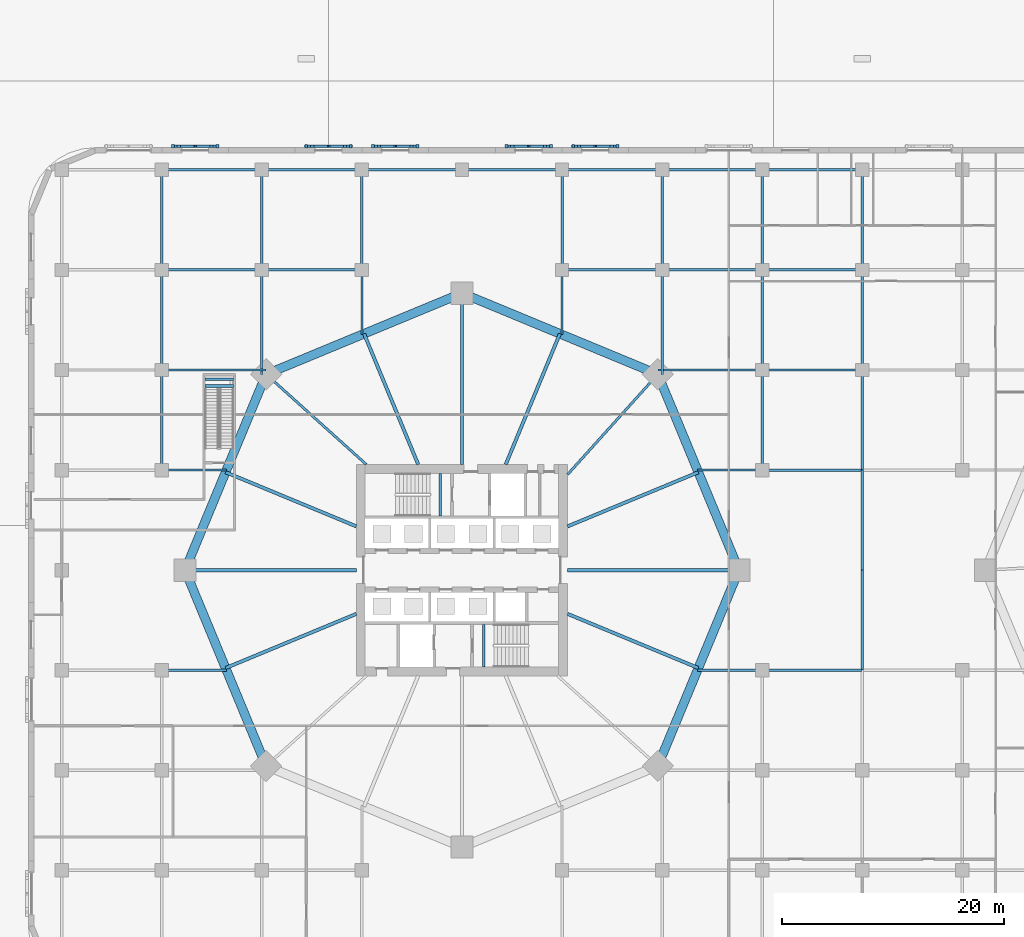
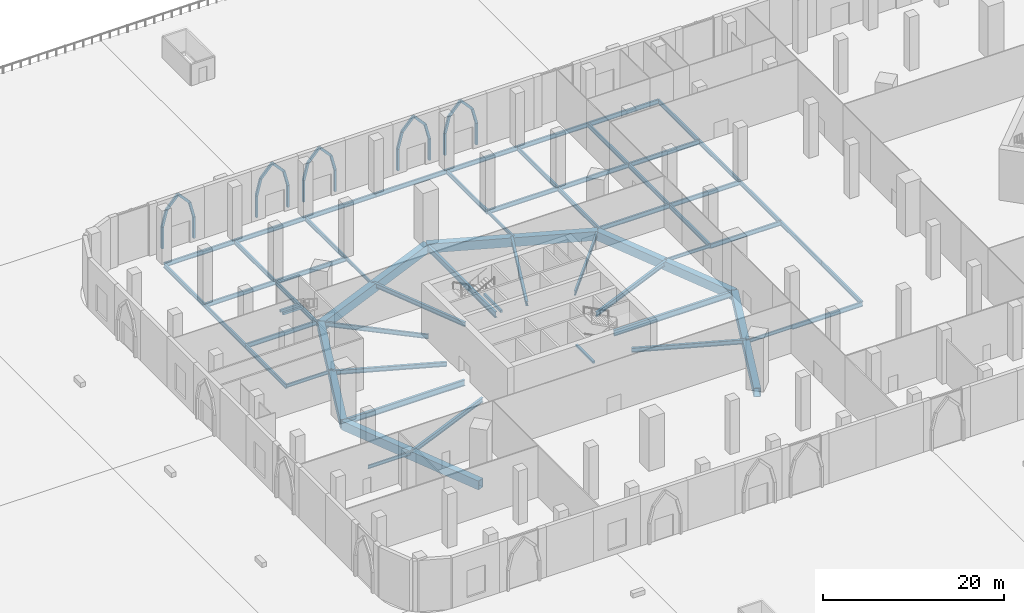
# One storey, part 8 of 48: 61 beams, 30 members.
"""IFC4 building model written with IfcOpenShell, lengths in metres."""

from ifc_helpers import new_model, si_unit, direction, frame, origin, origin_2d, place, context, subcontext, project, spatial, rectangle, hollow_rectangle, i_section, extrude, material, material_profile, profile_set, type_object, element, save


model = new_model("IFC4")

# Units and contexts
model_context = context("Model", 3, precision=1e-05, world=origin(), true_north=direction((0.0, 1.0)))
body_context = subcontext(model_context, "Body", "Model", "MODEL_VIEW")
ifc_project = project(units=[si_unit("LENGTHUNIT", "METRE"), si_unit("AREAUNIT", "SQUARE_METRE"), si_unit("VOLUMEUNIT", "CUBIC_METRE"), si_unit("PLANEANGLEUNIT", "RADIAN"), si_unit("MASSUNIT", "GRAM", prefix="KILO")], contexts=[model_context])

# Site, building, storey
site_placement = place(None, origin())
site = spatial("IfcSite", under=ifc_project, at=site_placement, CompositionType="ELEMENT")
building_placement = place(site_placement, origin())
building = spatial("IfcBuilding", under=site, at=building_placement, Name="Ogive Gate Towers", CompositionType="ELEMENT")
storey_placement = place(building_placement, origin())
storey = spatial("IfcBuildingStorey", under=building, at=storey_placement, Name="L00", CompositionType="ELEMENT", Elevation=0.0)

# Members
ifc_material_1 = material(Name="Precast concrete C40/50", Category="concrete")
ifc_material_profile_1 = material_profile(ifc_material_1, rectangle(XDim=0.25, YDim=0.300048828125, at=origin_2d()), Name="250 x 300 cast stone")
ifc_profile_set_1 = profile_set([ifc_material_profile_1], Name="Precast concrete C40/50")
member_type = type_object("IfcMemberType", Name="Arch rib 250 x 300", PredefinedType="USERDEFINED", material=ifc_profile_set_1)
member_1_placement = place(storey_placement, frame((-22.0, 38.125, 0.0), z_axis=(0.0, 0.0, 1.0), x_axis=(1.0, 0.0, 0.0)))
element("IfcMember", 1, at=member_1_placement, inside=storey, type_object=member_type, Name="Arcade arch rib", ObjectType="ARCH RIB", PredefinedType="USERDEFINED", context=body_context, shape_type="SweptSolid", body=[
    extrude(rectangle(XDim=0.25, YDim=0.300048828125, at=origin_2d()), origin(), (0.0, 0.0, 1.0), 2.89990234375),
])
for number, where, z_axis, x_axis, name in (
    (2, (-22.0, 38.125, 2.89990234375), (-0.245931792163, 0.0, 0.969287136819), (0.0, -1.0, 0.0), "Arcade arch rib"),
    (3, (-22.5322265625, 38.125, 4.99755859375), (-0.678223875113, 0.0, 0.734855343062), (0.0, -1.0, 0.0), "Arcade arch rib"),
):
    element("IfcMember", number, at=place(storey_placement, frame(where, z_axis=z_axis, x_axis=x_axis)), inside=storey, type_object=member_type, Name=name, ObjectType="ARCH RIB", PredefinedType="USERDEFINED", context=body_context, shape_type="SweptSolid", body=[
        extrude(rectangle(XDim=0.25, YDim=0.300048828125, at=origin_2d()), origin(), (0.0, 0.0, 1.0), 2.1640625),
    ])
member_2_placement = place(storey_placement, frame((-26.0, 38.125, 0.0), z_axis=(0.0, 0.0, 1.0), x_axis=(1.0, 0.0, 0.0)))
element("IfcMember", 4, at=member_2_placement, inside=storey, type_object=member_type, Name="Arcade arch rib", ObjectType="ARCH RIB", PredefinedType="USERDEFINED", context=body_context, shape_type="SweptSolid", body=[
    extrude(rectangle(XDim=0.25, YDim=0.300048828125, at=origin_2d()), origin(), (0.0, 0.0, 1.0), 2.89990234375),
])
for number, where, z_axis, x_axis, name in (
    (5, (-26.0, 38.125, 2.89990234375), (0.245931792163, 0.0, 0.969287136819), (0.0, 1.0, 0.0), "Arcade arch rib"),
    (6, (-25.4677734375, 38.125, 4.99755859375), (0.678223875113, 0.0, 0.734855343062), (0.0, 1.0, 0.0), "Arcade arch rib"),
):
    element("IfcMember", number, at=place(storey_placement, frame(where, z_axis=z_axis, x_axis=x_axis)), inside=storey, type_object=member_type, Name=name, ObjectType="ARCH RIB", PredefinedType="USERDEFINED", context=body_context, shape_type="SweptSolid", body=[
        extrude(rectangle(XDim=0.25, YDim=0.300048828125, at=origin_2d()), origin(), (0.0, 0.0, 1.0), 2.1640625),
    ])
member_3_placement = place(storey_placement, frame((-28.0, 38.125, 0.0), z_axis=(0.0, 0.0, 1.0), x_axis=(1.0, 0.0, 0.0)))
element("IfcMember", 7, at=member_3_placement, inside=storey, type_object=member_type, Name="Arcade arch rib", ObjectType="ARCH RIB", PredefinedType="USERDEFINED", context=body_context, shape_type="SweptSolid", body=[
    extrude(rectangle(XDim=0.25, YDim=0.300048828125, at=origin_2d()), origin(), (0.0, 0.0, 1.0), 2.89990234375),
])
for number, where, z_axis, x_axis, name in (
    (8, (-28.0, 38.125, 2.89990234375), (-0.245931792163, 0.0, 0.969287136819), (0.0, -1.0, 0.0), "Arcade arch rib"),
    (9, (-28.5322265625, 38.125, 4.99755859375), (-0.678223875113, 0.0, 0.734855343062), (0.0, -1.0, 0.0), "Arcade arch rib"),
):
    element("IfcMember", number, at=place(storey_placement, frame(where, z_axis=z_axis, x_axis=x_axis)), inside=storey, type_object=member_type, Name=name, ObjectType="ARCH RIB", PredefinedType="USERDEFINED", context=body_context, shape_type="SweptSolid", body=[
        extrude(rectangle(XDim=0.25, YDim=0.300048828125, at=origin_2d()), origin(), (0.0, 0.0, 1.0), 2.1640625),
    ])
member_4_placement = place(storey_placement, frame((-32.0, 38.125, 0.0), z_axis=(0.0, 0.0, 1.0), x_axis=(1.0, 0.0, 0.0)))
element("IfcMember", 10, at=member_4_placement, inside=storey, type_object=member_type, Name="Arcade arch rib", ObjectType="ARCH RIB", PredefinedType="USERDEFINED", context=body_context, shape_type="SweptSolid", body=[
    extrude(rectangle(XDim=0.25, YDim=0.300048828125, at=origin_2d()), origin(), (0.0, 0.0, 1.0), 2.89990234375),
])
for number, where, z_axis, x_axis, name in (
    (11, (-32.0, 38.125, 2.89990234375), (0.245931792163, 0.0, 0.969287136819), (0.0, 1.0, 0.0), "Arcade arch rib"),
    (12, (-31.4677734375, 38.125, 4.99755859375), (0.678223875113, 0.0, 0.734855343062), (0.0, 1.0, 0.0), "Arcade arch rib"),
):
    element("IfcMember", number, at=place(storey_placement, frame(where, z_axis=z_axis, x_axis=x_axis)), inside=storey, type_object=member_type, Name=name, ObjectType="ARCH RIB", PredefinedType="USERDEFINED", context=body_context, shape_type="SweptSolid", body=[
        extrude(rectangle(XDim=0.25, YDim=0.300048828125, at=origin_2d()), origin(), (0.0, 0.0, 1.0), 2.1640625),
    ])
member_5_placement = place(storey_placement, frame((-40.0, 38.125, 0.0), z_axis=(0.0, 0.0, 1.0), x_axis=(1.0, 0.0, 0.0)))
element("IfcMember", 13, at=member_5_placement, inside=storey, type_object=member_type, Name="Arcade arch rib", ObjectType="ARCH RIB", PredefinedType="USERDEFINED", context=body_context, shape_type="SweptSolid", body=[
    extrude(rectangle(XDim=0.25, YDim=0.300048828125, at=origin_2d()), origin(), (0.0, 0.0, 1.0), 2.89990234375),
])
for number, where, z_axis, x_axis, name in (
    (14, (-40.0, 38.125, 2.89990234375), (-0.245931792163, 0.0, 0.969287136819), (0.0, -1.0, 0.0), "Arcade arch rib"),
    (15, (-40.5322265625, 38.125, 4.99755859375), (-0.678223875113, 0.0, 0.734855343062), (0.0, -1.0, 0.0), "Arcade arch rib"),
):
    element("IfcMember", number, at=place(storey_placement, frame(where, z_axis=z_axis, x_axis=x_axis)), inside=storey, type_object=member_type, Name=name, ObjectType="ARCH RIB", PredefinedType="USERDEFINED", context=body_context, shape_type="SweptSolid", body=[
        extrude(rectangle(XDim=0.25, YDim=0.300048828125, at=origin_2d()), origin(), (0.0, 0.0, 1.0), 2.1640625),
    ])
member_6_placement = place(storey_placement, frame((-44.0, 38.125, 0.0), z_axis=(0.0, 0.0, 1.0), x_axis=(1.0, 0.0, 0.0)))
element("IfcMember", 16, at=member_6_placement, inside=storey, type_object=member_type, Name="Arcade arch rib", ObjectType="ARCH RIB", PredefinedType="USERDEFINED", context=body_context, shape_type="SweptSolid", body=[
    extrude(rectangle(XDim=0.25, YDim=0.300048828125, at=origin_2d()), origin(), (0.0, 0.0, 1.0), 2.89990234375),
])
for number, where, z_axis, x_axis, name in (
    (17, (-44.0, 38.125, 2.89990234375), (0.245931792163, 0.0, 0.969287136819), (0.0, 1.0, 0.0), "Arcade arch rib"),
    (18, (-43.4677734375, 38.125, 4.99755859375), (0.678223875113, 0.0, 0.734855343062), (0.0, 1.0, 0.0), "Arcade arch rib"),
):
    element("IfcMember", number, at=place(storey_placement, frame(where, z_axis=z_axis, x_axis=x_axis)), inside=storey, type_object=member_type, Name=name, ObjectType="ARCH RIB", PredefinedType="USERDEFINED", context=body_context, shape_type="SweptSolid", body=[
        extrude(rectangle(XDim=0.25, YDim=0.300048828125, at=origin_2d()), origin(), (0.0, 0.0, 1.0), 2.1640625),
    ])
member_7_placement = place(storey_placement, frame((-46.0, 38.125, 0.0), z_axis=(0.0, 0.0, 1.0), x_axis=(1.0, 0.0, 0.0)))
element("IfcMember", 19, at=member_7_placement, inside=storey, type_object=member_type, Name="Arcade arch rib", ObjectType="ARCH RIB", PredefinedType="USERDEFINED", context=body_context, shape_type="SweptSolid", body=[
    extrude(rectangle(XDim=0.25, YDim=0.300048828125, at=origin_2d()), origin(), (0.0, 0.0, 1.0), 2.89990234375),
])
for number, where, z_axis, x_axis, name in (
    (20, (-46.0, 38.125, 2.89990234375), (-0.245931792163, 0.0, 0.969287136819), (0.0, -1.0, 0.0), "Arcade arch rib"),
    (21, (-46.5322265625, 38.125, 4.99755859375), (-0.678223875113, 0.0, 0.734855343062), (0.0, -1.0, 0.0), "Arcade arch rib"),
):
    element("IfcMember", number, at=place(storey_placement, frame(where, z_axis=z_axis, x_axis=x_axis)), inside=storey, type_object=member_type, Name=name, ObjectType="ARCH RIB", PredefinedType="USERDEFINED", context=body_context, shape_type="SweptSolid", body=[
        extrude(rectangle(XDim=0.25, YDim=0.300048828125, at=origin_2d()), origin(), (0.0, 0.0, 1.0), 2.1640625),
    ])
member_8_placement = place(storey_placement, frame((-50.0, 38.125, 0.0), z_axis=(0.0, 0.0, 1.0), x_axis=(1.0, 0.0, 0.0)))
element("IfcMember", 22, at=member_8_placement, inside=storey, type_object=member_type, Name="Arcade arch rib", ObjectType="ARCH RIB", PredefinedType="USERDEFINED", context=body_context, shape_type="SweptSolid", body=[
    extrude(rectangle(XDim=0.25, YDim=0.300048828125, at=origin_2d()), origin(), (0.0, 0.0, 1.0), 2.89990234375),
])
for number, where, z_axis, x_axis, name in (
    (23, (-50.0, 38.125, 2.89990234375), (0.245931792163, 0.0, 0.969287136819), (0.0, 1.0, 0.0), "Arcade arch rib"),
    (24, (-49.4677734375, 38.125, 4.99755859375), (0.678223875113, 0.0, 0.734855343062), (0.0, 1.0, 0.0), "Arcade arch rib"),
):
    element("IfcMember", number, at=place(storey_placement, frame(where, z_axis=z_axis, x_axis=x_axis)), inside=storey, type_object=member_type, Name=name, ObjectType="ARCH RIB", PredefinedType="USERDEFINED", context=body_context, shape_type="SweptSolid", body=[
        extrude(rectangle(XDim=0.25, YDim=0.300048828125, at=origin_2d()), origin(), (0.0, 0.0, 1.0), 2.1640625),
    ])
member_9_placement = place(storey_placement, frame((-58.0, 38.125, 0.0), z_axis=(0.0, 0.0, 1.0), x_axis=(1.0, 0.0, 0.0)))
element("IfcMember", 25, at=member_9_placement, inside=storey, type_object=member_type, Name="Arcade arch rib", ObjectType="ARCH RIB", PredefinedType="USERDEFINED", context=body_context, shape_type="SweptSolid", body=[
    extrude(rectangle(XDim=0.25, YDim=0.300048828125, at=origin_2d()), origin(), (0.0, 0.0, 1.0), 2.89990234375),
])
for number, where, z_axis, x_axis, name in (
    (26, (-58.0, 38.125, 2.89990234375), (-0.245931792163, 0.0, 0.969287136819), (0.0, -1.0, 0.0), "Arcade arch rib"),
    (27, (-58.5322265625, 38.125, 4.99755859375), (-0.678223875113, 0.0, 0.734855343062), (0.0, -1.0, 0.0), "Arcade arch rib"),
):
    element("IfcMember", number, at=place(storey_placement, frame(where, z_axis=z_axis, x_axis=x_axis)), inside=storey, type_object=member_type, Name=name, ObjectType="ARCH RIB", PredefinedType="USERDEFINED", context=body_context, shape_type="SweptSolid", body=[
        extrude(rectangle(XDim=0.25, YDim=0.300048828125, at=origin_2d()), origin(), (0.0, 0.0, 1.0), 2.1640625),
    ])
member_10_placement = place(storey_placement, frame((-62.0, 38.125, 0.0), z_axis=(0.0, 0.0, 1.0), x_axis=(1.0, 0.0, 0.0)))
element("IfcMember", 28, at=member_10_placement, inside=storey, type_object=member_type, Name="Arcade arch rib", ObjectType="ARCH RIB", PredefinedType="USERDEFINED", context=body_context, shape_type="SweptSolid", body=[
    extrude(rectangle(XDim=0.25, YDim=0.300048828125, at=origin_2d()), origin(), (0.0, 0.0, 1.0), 2.89990234375),
])
for number, where, z_axis, x_axis, name in (
    (29, (-62.0, 38.125, 2.89990234375), (0.245931792163, 0.0, 0.969287136819), (0.0, 1.0, 0.0), "Arcade arch rib"),
    (30, (-61.4677734375, 38.125, 4.99755859375), (0.678223875113, 0.0, 0.734855343062), (0.0, 1.0, 0.0), "Arcade arch rib"),
):
    element("IfcMember", number, at=place(storey_placement, frame(where, z_axis=z_axis, x_axis=x_axis)), inside=storey, type_object=member_type, Name=name, ObjectType="ARCH RIB", PredefinedType="USERDEFINED", context=body_context, shape_type="SweptSolid", body=[
        extrude(rectangle(XDim=0.25, YDim=0.300048828125, at=origin_2d()), origin(), (0.0, 0.0, 1.0), 2.1640625),
    ])

# Beams
ifc_material_2 = material(Name="Steel SM460", Category="steel")
ifc_material_profile_2 = material_profile(ifc_material_2, hollow_rectangle(XDim=0.800048828125, YDim=1.199951171875, WallThickness=0.050048828125, at=origin_2d()), Name="BX 1200x800x50")
ifc_profile_set_2 = profile_set([ifc_material_profile_2], Name="Steel SM460")
beam_type_1 = type_object("IfcBeamType", Name="Edge girder BX 1200x800x50", PredefinedType="BEAM", material=ifc_profile_set_2)
for number, where, z_axis, x_axis, name in (
    (31, (-18.385986328125, -17.614013671875, -0.89990234375), (0.382680526191, 0.923880736283, 0.0), (-0.923880736283, 0.382680526191, 0.0), "T1/L00/SBM019"),
    (32, (-11.090087890625, 0.0, -0.89990234375), (-0.382680526191, 0.923880736283, 0.0), (-0.923880736283, -0.382680526191, 0.0), "T1/L00/SBM020"),
    (33, (-18.385986328125, 17.614013671875, -0.89990234375), (-0.923880736283, 0.382680526191, 0.0), (-0.382680526191, -0.923880736283, 0.0), "T1/L00/SBM021"),
    (34, (-36.0, 24.909912109375, -0.89990234375), (-0.923880736283, -0.382680526191, 0.0), (0.382680526191, -0.923880736283, 0.0), "T1/L00/SBM022"),
    (35, (-53.614013671875, 17.614013671875, -0.89990234375), (-0.382680526191, -0.923880736283, 0.0), (0.923880736283, -0.382680526191, 0.0), "T1/L00/SBM023"),
    (36, (-60.909912109375, 0.0, -0.89990234375), (0.382680526191, -0.923880736283, 0.0), (0.923880736283, 0.382680526191, 0.0), "T1/L00/SBM024"),
):
    element("IfcBeam", number, at=place(storey_placement, frame(where, z_axis=z_axis, x_axis=x_axis)), inside=storey, type_object=beam_type_1, Name=name, PredefinedType="BEAM", context=body_context, shape_type="SweptSolid", body=[
        extrude(hollow_rectangle(XDim=0.800048828125, YDim=1.199951171875, WallThickness=0.050048828125, at=origin_2d()), origin(), (0.0, 0.0, 1.0), 19.065185546875),
    ])
ifc_material_3 = material(Name="Steel SM355", Category="steel")
ifc_material_profile_3 = material_profile(ifc_material_3, i_section(OverallWidth=0.18994140625, OverallDepth=0.449951171875, WebThickness=0.009521484375, FlangeThickness=0.0146484375, FilletRadius=0.02099609375, at=origin_2d()), Name="IPE 450")
ifc_profile_set_3 = profile_set([ifc_material_profile_3], Name="Steel SM355")
beam_type_2 = type_object("IfcBeamType", Name="Floor beam IPE 450", PredefinedType="BEAM", material=ifc_profile_set_3)
for number, where, z_axis, x_axis, name in (
    (37, (-63.0, -9.0, -0.52490234375), (1.0, 0.0, 0.0), (0.0, 1.0, 0.0), "PD/L00/SBM153"),
    (38, (-63.0, 9.0, -0.52490234375), (1.0, 0.0, 0.0), (0.0, 1.0, 0.0), "PD/L00/SBM154"),
    (39, (-45.0, 27.0, -0.52490234375), (0.0, -1.0, 0.0), (1.0, 0.0, 0.0), "PD/L00/SBM156"),
    (40, (-27.0, 27.0, -0.52490234375), (0.0, -1.0, 0.0), (1.0, 0.0, 0.0), "PD/L00/SBM158"),
    (41, (-9.0, -9.0, -0.52490234375), (-1.0, 0.0, 0.0), (0.0, -1.0, 0.0), "PD/L00/SBM159"),
    (42, (-9.0, 9.0, -0.52490234375), (-1.0, 0.0, 0.0), (0.0, -1.0, 0.0), "PD/L00/SBM160"),
):
    element("IfcBeam", number, at=place(storey_placement, frame(where, z_axis=z_axis, x_axis=x_axis)), inside=storey, type_object=beam_type_2, Name=name, PredefinedType="BEAM", context=body_context, shape_type="SweptSolid", body=[
        extrude(i_section(OverallWidth=0.18994140625, OverallDepth=0.449951171875, WebThickness=0.009521484375, FlangeThickness=0.0146484375, FilletRadius=0.02099609375, at=origin_2d()), origin(), (0.0, 0.0, 1.0), 5.81787109375),
    ])
ifc_material_profile_4 = material_profile(ifc_material_3, i_section(OverallWidth=0.219970703125, OverallDepth=0.60009765625, WebThickness=0.011962890625, FlangeThickness=0.01904296875, FilletRadius=0.02392578125, at=origin_2d()), Name="IPE 600")
ifc_profile_set_4 = profile_set([ifc_material_profile_4], Name="Steel SM355")
beam_type_3 = type_object("IfcBeamType", Name="Floor beam IPE 600", PredefinedType="BEAM", material=ifc_profile_set_4)
for number, where, z_axis, x_axis, name in (
    (43, (-63.0, 9.0, -0.60009765625), (0.0, 1.0, 0.0), (-1.0, 0.0, 0.0), "PD/L00/SBM012"),
    (44, (-63.0, 18.0, -0.60009765625), (0.0, 1.0, 0.0), (-1.0, 0.0, 0.0), "PD/L00/SBM013"),
    (45, (-63.0, 27.0, -0.60009765625), (0.0, 1.0, 0.0), (-1.0, 0.0, 0.0), "PD/L00/SBM014"),
):
    element("IfcBeam", number, at=place(storey_placement, frame(where, z_axis=z_axis, x_axis=x_axis)), inside=storey, type_object=beam_type_3, Name=name, PredefinedType="BEAM", context=body_context, shape_type="SweptSolid", body=[
        extrude(i_section(OverallWidth=0.219970703125, OverallDepth=0.60009765625, WebThickness=0.011962890625, FlangeThickness=0.01904296875, FilletRadius=0.02392578125, at=origin_2d()), origin(), (0.0, 0.0, 1.0), 9.0),
    ])
beam_1_placement = place(storey_placement, frame((-54.0, 17.614013671875, -0.60009765625), z_axis=(0.0, 1.0, 0.0), x_axis=(-1.0, 0.0, 0.0)))
element("IfcBeam", 46, at=beam_1_placement, inside=storey, type_object=beam_type_3, Name="PD/L00/SBM017", PredefinedType="BEAM", context=body_context, shape_type="SweptSolid", body=[
    extrude(i_section(OverallWidth=0.219970703125, OverallDepth=0.60009765625, WebThickness=0.011962890625, FlangeThickness=0.01904296875, FilletRadius=0.02392578125, at=origin_2d()), origin(), (0.0, 0.0, 1.0), 9.385986328125),
])
for number, where, z_axis, x_axis, name in (
    (47, (-54.0, 27.0, -0.60009765625), (0.0, 1.0, 0.0), (-1.0, 0.0, 0.0), "PD/L00/SBM018"),
    (48, (-45.0, 27.0, -0.60009765625), (0.0, 1.0, 0.0), (-1.0, 0.0, 0.0), "PD/L00/SBM020"),
    (49, (-27.0, 27.0, -0.60009765625), (0.0, 1.0, 0.0), (-1.0, 0.0, 0.0), "PD/L00/SBM022"),
):
    element("IfcBeam", number, at=place(storey_placement, frame(where, z_axis=z_axis, x_axis=x_axis)), inside=storey, type_object=beam_type_3, Name=name, PredefinedType="BEAM", context=body_context, shape_type="SweptSolid", body=[
        extrude(i_section(OverallWidth=0.219970703125, OverallDepth=0.60009765625, WebThickness=0.011962890625, FlangeThickness=0.01904296875, FilletRadius=0.02392578125, at=origin_2d()), origin(), (0.0, 0.0, 1.0), 9.0),
    ])
beam_2_placement = place(storey_placement, frame((-18.0, 17.614013671875, -0.60009765625), z_axis=(0.0, 1.0, 0.0), x_axis=(-1.0, 0.0, 0.0)))
element("IfcBeam", 50, at=beam_2_placement, inside=storey, type_object=beam_type_3, Name="PD/L00/SBM025", PredefinedType="BEAM", context=body_context, shape_type="SweptSolid", body=[
    extrude(i_section(OverallWidth=0.219970703125, OverallDepth=0.60009765625, WebThickness=0.011962890625, FlangeThickness=0.01904296875, FilletRadius=0.02392578125, at=origin_2d()), origin(), (0.0, 0.0, 1.0), 9.385986328125),
])
for number, where, z_axis, x_axis, name in (
    (51, (-18.0, 27.0, -0.60009765625), (0.0, 1.0, 0.0), (-1.0, 0.0, 0.0), "PD/L00/SBM026"),
    (52, (-9.0, 9.0, -0.60009765625), (0.0, 1.0, 0.0), (-1.0, 0.0, 0.0), "PD/L00/SBM030"),
    (53, (-9.0, 18.0, -0.60009765625), (0.0, 1.0, 0.0), (-1.0, 0.0, 0.0), "PD/L00/SBM031"),
    (54, (-9.0, 27.0, -0.60009765625), (0.0, 1.0, 0.0), (-1.0, 0.0, 0.0), "PD/L00/SBM032"),
    (55, (0.0, -9.0, -0.60009765625), (0.0, 1.0, 0.0), (-1.0, 0.0, 0.0), "PD/L00/SBM036"),
    (56, (0.0, 0.0, -0.60009765625), (0.0, 1.0, 0.0), (-1.0, 0.0, 0.0), "PD/L00/SBM037"),
    (57, (0.0, 9.0, -0.60009765625), (0.0, 1.0, 0.0), (-1.0, 0.0, 0.0), "PD/L00/SBM038"),
    (58, (0.0, 18.0, -0.60009765625), (0.0, 1.0, 0.0), (-1.0, 0.0, 0.0), "PD/L00/SBM039"),
    (59, (0.0, 27.0, -0.60009765625), (0.0, 1.0, 0.0), (-1.0, 0.0, 0.0), "PD/L00/SBM040"),
    (60, (-9.0, -9.0, -0.60009765625), (1.0, 0.0, 0.0), (0.0, 1.0, 0.0), "PD/L00/SBM110"),
    (61, (-9.0, 9.0, -0.60009765625), (1.0, 0.0, 0.0), (0.0, 1.0, 0.0), "PD/L00/SBM114"),
):
    element("IfcBeam", number, at=place(storey_placement, frame(where, z_axis=z_axis, x_axis=x_axis)), inside=storey, type_object=beam_type_3, Name=name, PredefinedType="BEAM", context=body_context, shape_type="SweptSolid", body=[
        extrude(i_section(OverallWidth=0.219970703125, OverallDepth=0.60009765625, WebThickness=0.011962890625, FlangeThickness=0.01904296875, FilletRadius=0.02392578125, at=origin_2d()), origin(), (0.0, 0.0, 1.0), 9.0),
    ])
for number, where, z_axis, x_axis, name in (
    (62, (-63.0, 18.0, -0.60009765625), (1.0, 0.0, 0.0), (0.0, 1.0, 0.0), "PD/L00/SBM118"),
    (63, (-18.385986328125, 18.0, -0.60009765625), (1.0, 0.0, 0.0), (0.0, 1.0, 0.0), "PD/L00/SBM119"),
):
    element("IfcBeam", number, at=place(storey_placement, frame(where, z_axis=z_axis, x_axis=x_axis)), inside=storey, type_object=beam_type_3, Name=name, PredefinedType="BEAM", context=body_context, shape_type="SweptSolid", body=[
        extrude(i_section(OverallWidth=0.219970703125, OverallDepth=0.60009765625, WebThickness=0.011962890625, FlangeThickness=0.01904296875, FilletRadius=0.02392578125, at=origin_2d()), origin(), (0.0, 0.0, 1.0), 9.385986328125),
    ])
for number, where, z_axis, x_axis, name in (
    (64, (-9.0, 18.0, -0.60009765625), (1.0, 0.0, 0.0), (0.0, 1.0, 0.0), "PD/L00/SBM120"),
    (65, (-63.0, 27.0, -0.60009765625), (1.0, 0.0, 0.0), (0.0, 1.0, 0.0), "PD/L00/SBM126"),
    (66, (-54.0, 27.0, -0.60009765625), (1.0, 0.0, 0.0), (0.0, 1.0, 0.0), "PD/L00/SBM127"),
    (67, (-27.0, 27.0, -0.60009765625), (1.0, 0.0, 0.0), (0.0, 1.0, 0.0), "PD/L00/SBM128"),
    (68, (-18.0, 27.0, -0.60009765625), (1.0, 0.0, 0.0), (0.0, 1.0, 0.0), "PD/L00/SBM129"),
    (69, (-9.0, 27.0, -0.60009765625), (1.0, 0.0, 0.0), (0.0, 1.0, 0.0), "PD/L00/SBM130"),
    (70, (-63.0, 36.0, -0.60009765625), (1.0, 0.0, 0.0), (0.0, 1.0, 0.0), "PD/L00/SBM138"),
    (71, (-54.0, 36.0, -0.60009765625), (1.0, 0.0, 0.0), (0.0, 1.0, 0.0), "PD/L00/SBM139"),
    (72, (-45.0, 36.0, -0.60009765625), (1.0, 0.0, 0.0), (0.0, 1.0, 0.0), "PD/L00/SBM140"),
    (73, (-36.0, 36.0, -0.60009765625), (1.0, 0.0, 0.0), (0.0, 1.0, 0.0), "PD/L00/SBM141"),
    (74, (-27.0, 36.0, -0.60009765625), (1.0, 0.0, 0.0), (0.0, 1.0, 0.0), "PD/L00/SBM142"),
    (75, (-18.0, 36.0, -0.60009765625), (1.0, 0.0, 0.0), (0.0, 1.0, 0.0), "PD/L00/SBM143"),
    (76, (-9.0, 36.0, -0.60009765625), (1.0, 0.0, 0.0), (0.0, 1.0, 0.0), "PD/L00/SBM144"),
):
    element("IfcBeam", number, at=place(storey_placement, frame(where, z_axis=z_axis, x_axis=x_axis)), inside=storey, type_object=beam_type_3, Name=name, PredefinedType="BEAM", context=body_context, shape_type="SweptSolid", body=[
        extrude(i_section(OverallWidth=0.219970703125, OverallDepth=0.60009765625, WebThickness=0.011962890625, FlangeThickness=0.01904296875, FilletRadius=0.02392578125, at=origin_2d()), origin(), (0.0, 0.0, 1.0), 9.0),
    ])
ifc_material_4 = material(Name="Concrete C40/50", Category="concrete")
ifc_material_profile_5 = material_profile(ifc_material_4, rectangle(XDim=0.25, YDim=0.300048828125, at=origin_2d()), Name="RC 250x300")
ifc_profile_set_5 = profile_set([ifc_material_profile_5], Name="Concrete C40/50")
beam_type_4 = type_object("IfcBeamType", Name="Landing bearer RC 250x300", PredefinedType="BEAM", material=ifc_profile_set_5)
for number, where, z_axis, x_axis, name in (
    (77, (-37.955078125, 8.699951171875, 3.25), (0.0, -1.0, 0.0), (1.0, 0.0, 0.0), "T1 L00 stair 1 landing bearer 2"),
    (78, (-34.044921875, -8.699951171875, 3.25), (0.0, 1.0, 0.0), (-1.0, 0.0, 0.0), "T1 L00 stair 2 landing bearer 2"),
):
    element("IfcBeam", number, at=place(storey_placement, frame(where, z_axis=z_axis, x_axis=x_axis)), inside=storey, type_object=beam_type_4, Name=name, PredefinedType="BEAM", context=body_context, shape_type="SweptSolid", body=[
        extrude(rectangle(XDim=0.25, YDim=0.300048828125, at=origin_2d()), origin(), (0.0, 0.0, 1.0), 3.824951171875),
    ])
ifc_material_profile_6 = material_profile(ifc_material_4, rectangle(XDim=0.25, YDim=0.300048828125, at=origin_2d()), Name="RC 250x300")
ifc_profile_set_6 = profile_set([ifc_material_profile_6], Name="Concrete C40/50")
beam_type_5 = type_object("IfcBeamType", Name="Landing bearer RC 250x300 (stair)", PredefinedType="BEAM", material=ifc_profile_set_6)
for number, where, z_axis, x_axis, name in (
    (79, (-56.550048828125, 16.570068359375, 3.25), (-1.0, 0.0, 0.0), (0.0, -1.0, 0.0), "PS1 L00 landing 1 bearer 1"),
    (80, (-56.550048828125, 17.169921875, 3.25), (-1.0, 0.0, 0.0), (0.0, -1.0, 0.0), "PS1 L00 landing 1 bearer 2"),
):
    element("IfcBeam", number, at=place(storey_placement, frame(where, z_axis=z_axis, x_axis=x_axis)), inside=storey, type_object=beam_type_5, Name=name, PredefinedType="BEAM", context=body_context, shape_type="SweptSolid", body=[
        extrude(rectangle(XDim=0.25, YDim=0.300048828125, at=origin_2d()), origin(), (0.0, 0.0, 1.0), 2.550048828125),
    ])
ifc_material_profile_7 = material_profile(ifc_material_3, i_section(OverallWidth=0.300048828125, OverallDepth=0.590087890625, WebThickness=0.012939453125, FlangeThickness=0.02490234375, FilletRadius=0.027099609375, at=origin_2d()), Name="HE 600 A")
ifc_profile_set_7 = profile_set([ifc_material_profile_7], Name="Steel SM355")
beam_type_6 = type_object("IfcBeamType", Name="Radial floor beam HE 600 A", PredefinedType="BEAM", material=ifc_profile_set_7)
for number, where, z_axis, x_axis, name in (
    (81, (-26.5, -3.93505859375, -0.594970703125), (0.923876595354, -0.382690523214, 0.0), (0.382690523214, 0.923876595354, 0.0), "T1/L00/SBM006"),
    (82, (-26.5, 3.93505859375, -0.594970703125), (0.923876595354, 0.382690523214, 0.0), (-0.382690523214, 0.923876595354, 0.0), "T1/L00/SBM008"),
    (83, (-32.06494140625, 9.5, -0.594970703125), (0.382690523214, 0.923876595354, 0.0), (-0.923876595354, 0.382690523214, 0.0), "T1/L00/SBM010"),
    (84, (-39.93505859375, 9.5, -0.594970703125), (-0.382690523214, 0.923876595354, 0.0), (-0.923876595354, -0.382690523214, 0.0), "T1/L00/SBM012"),
    (85, (-45.5, 3.93505859375, -0.594970703125), (-0.923876595354, 0.382690523214, 0.0), (-0.382690523214, -0.923876595354, 0.0), "T1/L00/SBM014"),
    (86, (-45.5, -3.93505859375, -0.594970703125), (-0.923876595354, -0.382690523214, 0.0), (0.382690523214, -0.923876595354, 0.0), "T1/L00/SBM016"),
):
    element("IfcBeam", number, at=place(storey_placement, frame(where, z_axis=z_axis, x_axis=x_axis)), inside=storey, type_object=beam_type_6, Name=name, PredefinedType="BEAM", context=body_context, shape_type="SweptSolid", body=[
        extrude(i_section(OverallWidth=0.300048828125, OverallDepth=0.590087890625, WebThickness=0.012939453125, FlangeThickness=0.02490234375, FilletRadius=0.027099609375, at=origin_2d()), origin(), (0.0, 0.0, 1.0), 12.731201171875),
    ])
ifc_material_profile_8 = material_profile(ifc_material_3, i_section(OverallWidth=0.300048828125, OverallDepth=0.7900390625, WebThickness=0.014892578125, FlangeThickness=0.028076171875, FilletRadius=0.030029296875, at=origin_2d()), Name="HE 800 A")
ifc_profile_set_8 = profile_set([ifc_material_profile_8], Name="Steel SM355")
beam_type_7 = type_object("IfcBeamType", Name="Radial floor beam HE 800 A", PredefinedType="BEAM", material=ifc_profile_set_8)
for number, where, z_axis, x_axis, name in (
    (87, (-26.5, 0.0, -0.695068359375), (1.0, 0.0, 0.0), (0.0, 1.0, 0.0), "T1/L00/SBM007"),
    (88, (-36.0, 9.5, -0.695068359375), (0.0, 1.0, 0.0), (-1.0, 0.0, 0.0), "T1/L00/SBM011"),
    (89, (-45.5, 0.0, -0.695068359375), (-1.0, 0.0, 0.0), (0.0, -1.0, 0.0), "T1/L00/SBM015"),
):
    element("IfcBeam", number, at=place(storey_placement, frame(where, z_axis=z_axis, x_axis=x_axis)), inside=storey, type_object=beam_type_7, Name=name, PredefinedType="BEAM", context=body_context, shape_type="SweptSolid", body=[
        extrude(i_section(OverallWidth=0.300048828125, OverallDepth=0.7900390625, WebThickness=0.014892578125, FlangeThickness=0.028076171875, FilletRadius=0.030029296875, at=origin_2d()), origin(), (0.0, 0.0, 1.0), 15.409912109375),
    ])
ifc_material_profile_9 = material_profile(ifc_material_3, i_section(OverallWidth=0.219970703125, OverallDepth=0.60009765625, WebThickness=0.011962890625, FlangeThickness=0.01904296875, FilletRadius=0.02392578125, at=origin_2d()), Name="IPE 600")
ifc_profile_set_9 = profile_set([ifc_material_profile_9], Name="Steel SM355")
beam_type_8 = type_object("IfcBeamType", Name="Radial floor beam IPE 600", PredefinedType="BEAM", material=ifc_profile_set_9)
for number, where, z_axis, x_axis, name in (
    (90, (-26.5, 8.60009765625, -0.60009765625), (0.669032571491, 0.743233084761, 0.0), (-0.743233084761, 0.669032571491, 0.0), "T1/L00/SBM009"),
    (91, (-44.60009765625, 9.5, -0.60009765625), (-0.743233084761, 0.669032571491, 0.0), (-0.669032571491, -0.743233084761, 0.0), "T1/L00/SBM013"),
):
    element("IfcBeam", number, at=place(storey_placement, frame(where, z_axis=z_axis, x_axis=x_axis)), inside=storey, type_object=beam_type_8, Name=name, PredefinedType="BEAM", context=body_context, shape_type="SweptSolid", body=[
        extrude(i_section(OverallWidth=0.219970703125, OverallDepth=0.60009765625, WebThickness=0.011962890625, FlangeThickness=0.01904296875, FilletRadius=0.02392578125, at=origin_2d()), origin(), (0.0, 0.0, 1.0), 12.1279296875),
    ])

save(model, "model.ifc")
